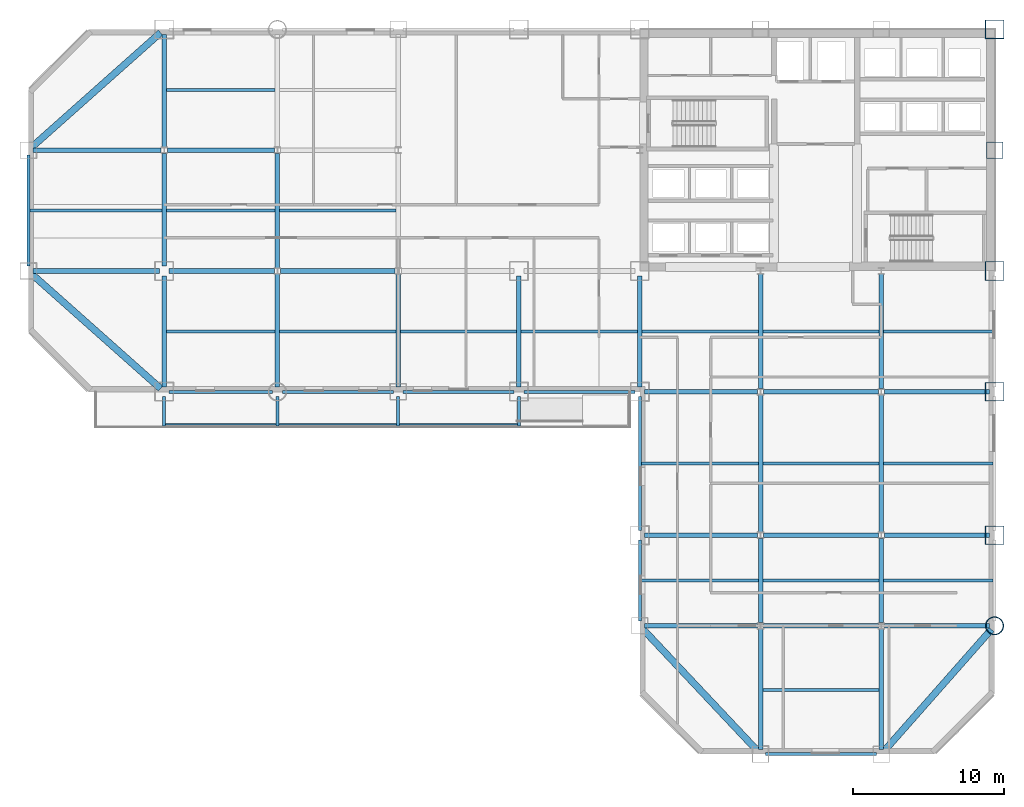
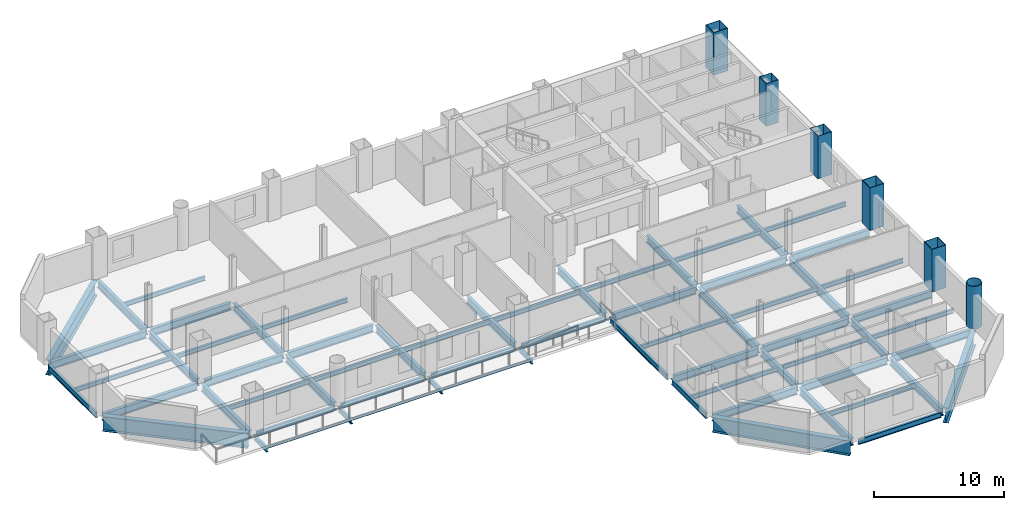
# One storey, part 3 of 9: 67 beams, 6 columns.
"""IFC4 building model written with IfcOpenShell, lengths in metres."""

from ifc_helpers import new_model, si_unit, direction, frame, origin, origin_2d, place, context, subcontext, project, spatial, hollow_rectangle, hollow_circle, i_section, extrude, material, material_profile, profile_set, type_object, element, save


model = new_model("IFC4")

# Units and contexts
model_context = context("Model", 3, precision=1e-05, world=origin(), true_north=direction((0.0, 1.0)))
body_context = subcontext(model_context, "Body", "Model", "MODEL_VIEW")
ifc_project = project(units=[si_unit("LENGTHUNIT", "METRE"), si_unit("AREAUNIT", "SQUARE_METRE"), si_unit("VOLUMEUNIT", "CUBIC_METRE"), si_unit("PLANEANGLEUNIT", "RADIAN"), si_unit("MASSUNIT", "GRAM", prefix="KILO")], contexts=[model_context])

# Site, building, storey
site_placement = place(None, origin())
site = spatial("IfcSite", under=ifc_project, at=site_placement, CompositionType="ELEMENT")
building_placement = place(site_placement, origin())
building = spatial("IfcBuilding", under=site, at=building_placement, Name="Qianrong Seaharbour Tower", CompositionType="ELEMENT")
storey_placement = place(building_placement, frame((0.0, 0.0, 100.199951171875)))
storey = spatial("IfcBuildingStorey", under=building, at=storey_placement, Name="L24", CompositionType="ELEMENT", Elevation=100.199951171875)

# Columns
ifc_material_1 = material(Name="Structural steel SN490B", Category="steel")
ifc_material_profile_1 = material_profile(ifc_material_1, hollow_rectangle(XDim=1.25, YDim=1.25, WallThickness=0.044921875, at=origin_2d()), Name="BOX1250x1250x45")
ifc_profile_set_1 = profile_set([ifc_material_profile_1], Name="Structural steel SN490B")
column_type_1 = type_object("IfcColumnType", Name="COL-CFT-1250", PredefinedType="COLUMN", material=ifc_profile_set_1)
for number, where, z_axis, x_axis, name in (
    (1, (64.0, 18.5, 0.0), (0.0, 0.0, 1.0), (1.0, 0.0, 0.0), "L24 Column MC-2 at G9/GD"),
    (2, (64.0, 28.0, 0.0), (0.0, 0.0, 1.0), (1.0, 0.0, 0.0), "L24 Column MC-2 at G9/GE"),
    (3, (64.0, 36.0, 0.0), (0.0, 0.0, 1.0), (1.0, 0.0, 0.0), "L24 Column MC-2 at G9/GF"),
    (4, (64.0, 52.0, 0.0), (0.0, 0.0, 1.0), (1.0, 0.0, 0.0), "L24 Column MC-2 at G9/GH"),
):
    element("IfcColumn", number, at=place(storey_placement, frame(where, z_axis=z_axis, x_axis=x_axis)), inside=storey, type_object=column_type_1, Name=name, PredefinedType="COLUMN", context=body_context, shape_type="SweptSolid", body=[
        extrude(hollow_rectangle(XDim=1.25, YDim=1.25, WallThickness=0.044921875, at=origin_2d()), origin(), (0.0, 0.0, 1.0), 4.0),
    ])
ifc_material_profile_2 = material_profile(ifc_material_1, hollow_circle(Radius=0.60009765625, WallThickness=0.0400390625, at=origin_2d()), Name="CHS1200x40")
ifc_profile_set_2 = profile_set([ifc_material_profile_2], Name="Structural steel SN490B")
column_type_2 = type_object("IfcColumnType", Name="COL-CHS-1200", PredefinedType="COLUMN", material=ifc_profile_set_2)
column_1_placement = place(storey_placement, frame((64.0, 12.5, 0.0), z_axis=(0.0, 0.0, 1.0), x_axis=(1.0, 0.0, 0.0)))
element("IfcColumn", 5, at=column_1_placement, inside=storey, type_object=column_type_2, Name="L24 Column CC-1 at G9/GC", PredefinedType="COLUMN", context=body_context, shape_type="SweptSolid", body=[
    extrude(hollow_circle(Radius=0.60009765625, WallThickness=0.0400390625, at=origin_2d()), origin(), (0.0, 0.0, 1.0), 4.0),
])
ifc_material_profile_3 = material_profile(ifc_material_1, hollow_rectangle(XDim=1.10009765625, YDim=1.10009765625, WallThickness=0.0400390625, at=origin_2d()), Name="BOX1100x1100x40")
ifc_profile_set_3 = profile_set([ifc_material_profile_3], Name="Structural steel SN490B")
column_type_3 = type_object("IfcColumnType", Name="COL-PER-1100", PredefinedType="COLUMN", material=ifc_profile_set_3)
column_2_placement = place(storey_placement, frame((64.0, 44.0, 0.0), z_axis=(0.0, 0.0, 1.0), x_axis=(1.0, 0.0, 0.0)))
element("IfcColumn", 6, at=column_2_placement, inside=storey, type_object=column_type_3, Name="L24 Column PC-1 at G9/GG", PredefinedType="COLUMN", context=body_context, shape_type="SweptSolid", body=[
    extrude(hollow_rectangle(XDim=1.10009765625, YDim=1.10009765625, WallThickness=0.0400390625, at=origin_2d()), origin(), (0.0, 0.0, 1.0), 4.0),
])

# Beams
ifc_material_profile_4 = material_profile(ifc_material_1, i_section(OverallWidth=0.300048828125, OverallDepth=0.699951171875, WebThickness=0.012939453125, FlangeThickness=0.02392578125, FilletRadius=0.02587890625, at=origin_2d()), Name="H700x300x13x24")
ifc_profile_set_4 = profile_set([ifc_material_profile_4], Name="Structural steel SN490B")
beam_type_1 = type_object("IfcBeamType", Name="BM-G-700", PredefinedType="BEAM", material=ifc_profile_set_4)
beam_1_placement = place(storey_placement, frame((40.820068359375, 12.5, -0.599853515625), z_axis=(1.0, 0.0, 0.0), x_axis=(0.0, 1.0, 0.0)))
element("IfcBeam", 7, at=beam_1_placement, inside=storey, type_object=beam_type_1, Name="L24 Primary Girder GC G6-G7", PredefinedType="BEAM", context=body_context, shape_type="SweptSolid", body=[
    extrude(i_section(OverallWidth=0.300048828125, OverallDepth=0.699951171875, WebThickness=0.012939453125, FlangeThickness=0.02392578125, FilletRadius=0.02587890625, at=origin_2d()), origin(), (0.0, 0.0, 1.0), 7.476318359375),
])
beam_2_placement = place(storey_placement, frame((48.70361328125, 12.5, -0.599853515625), z_axis=(1.0, 0.0, 0.0), x_axis=(0.0, 1.0, 0.0)))
element("IfcBeam", 8, at=beam_2_placement, inside=storey, type_object=beam_type_1, Name="L24 Primary Girder GC G7-G8", PredefinedType="BEAM", context=body_context, shape_type="SweptSolid", body=[
    extrude(i_section(OverallWidth=0.300048828125, OverallDepth=0.699951171875, WebThickness=0.012939453125, FlangeThickness=0.02392578125, FilletRadius=0.02587890625, at=origin_2d()), origin(), (0.0, 0.0, 1.0), 7.5927734375),
])
beam_3_placement = place(storey_placement, frame((56.70361328125, 12.5, -0.599853515625), z_axis=(1.0, 0.0, 0.0), x_axis=(0.0, 1.0, 0.0)))
element("IfcBeam", 9, at=beam_3_placement, inside=storey, type_object=beam_type_1, Name="L24 Primary Girder GC G8-G9", PredefinedType="BEAM", context=body_context, shape_type="SweptSolid", body=[
    extrude(i_section(OverallWidth=0.300048828125, OverallDepth=0.699951171875, WebThickness=0.012939453125, FlangeThickness=0.02392578125, FilletRadius=0.02587890625, at=origin_2d()), origin(), (0.0, 0.0, 1.0), 6.976318359375),
])
beam_4_placement = place(storey_placement, frame((40.820068359375, 18.5, -0.599853515625), z_axis=(1.0, 0.0, 0.0), x_axis=(0.0, 1.0, 0.0)))
element("IfcBeam", 10, at=beam_4_placement, inside=storey, type_object=beam_type_1, Name="L24 Primary Girder GD G6-G7", PredefinedType="BEAM", context=body_context, shape_type="SweptSolid", body=[
    extrude(i_section(OverallWidth=0.300048828125, OverallDepth=0.699951171875, WebThickness=0.012939453125, FlangeThickness=0.02392578125, FilletRadius=0.02587890625, at=origin_2d()), origin(), (0.0, 0.0, 1.0), 7.476318359375),
])
beam_5_placement = place(storey_placement, frame((48.70361328125, 18.5, -0.599853515625), z_axis=(1.0, 0.0, 0.0), x_axis=(0.0, 1.0, 0.0)))
element("IfcBeam", 11, at=beam_5_placement, inside=storey, type_object=beam_type_1, Name="L24 Primary Girder GD G7-G8", PredefinedType="BEAM", context=body_context, shape_type="SweptSolid", body=[
    extrude(i_section(OverallWidth=0.300048828125, OverallDepth=0.699951171875, WebThickness=0.012939453125, FlangeThickness=0.02392578125, FilletRadius=0.02587890625, at=origin_2d()), origin(), (0.0, 0.0, 1.0), 7.5927734375),
])
beam_6_placement = place(storey_placement, frame((56.70361328125, 18.5, -0.599853515625), z_axis=(1.0, 0.0, 0.0), x_axis=(0.0, 1.0, 0.0)))
element("IfcBeam", 12, at=beam_6_placement, inside=storey, type_object=beam_type_1, Name="L24 Primary Girder GD G8-G9", PredefinedType="BEAM", context=body_context, shape_type="SweptSolid", body=[
    extrude(i_section(OverallWidth=0.300048828125, OverallDepth=0.699951171875, WebThickness=0.012939453125, FlangeThickness=0.02392578125, FilletRadius=0.02587890625, at=origin_2d()), origin(), (0.0, 0.0, 1.0), 6.976318359375),
])
beam_7_placement = place(storey_placement, frame((40.820068359375, 28.0, -0.599853515625), z_axis=(1.0, 0.0, 0.0), x_axis=(0.0, 1.0, 0.0)))
element("IfcBeam", 13, at=beam_7_placement, inside=storey, type_object=beam_type_1, Name="L24 Primary Girder GE G6-G7", PredefinedType="BEAM", context=body_context, shape_type="SweptSolid", body=[
    extrude(i_section(OverallWidth=0.300048828125, OverallDepth=0.699951171875, WebThickness=0.012939453125, FlangeThickness=0.02392578125, FilletRadius=0.02587890625, at=origin_2d()), origin(), (0.0, 0.0, 1.0), 7.476318359375),
])
beam_8_placement = place(storey_placement, frame((48.70361328125, 28.0, -0.599853515625), z_axis=(1.0, 0.0, 0.0), x_axis=(0.0, 1.0, 0.0)))
element("IfcBeam", 14, at=beam_8_placement, inside=storey, type_object=beam_type_1, Name="L24 Primary Girder GE G7-G8", PredefinedType="BEAM", context=body_context, shape_type="SweptSolid", body=[
    extrude(i_section(OverallWidth=0.300048828125, OverallDepth=0.699951171875, WebThickness=0.012939453125, FlangeThickness=0.02392578125, FilletRadius=0.02587890625, at=origin_2d()), origin(), (0.0, 0.0, 1.0), 7.5927734375),
])
beam_9_placement = place(storey_placement, frame((56.70361328125, 28.0, -0.599853515625), z_axis=(1.0, 0.0, 0.0), x_axis=(0.0, 1.0, 0.0)))
element("IfcBeam", 15, at=beam_9_placement, inside=storey, type_object=beam_type_1, Name="L24 Primary Girder GE G8-G9", PredefinedType="BEAM", context=body_context, shape_type="SweptSolid", body=[
    extrude(i_section(OverallWidth=0.300048828125, OverallDepth=0.699951171875, WebThickness=0.012939453125, FlangeThickness=0.02392578125, FilletRadius=0.02587890625, at=origin_2d()), origin(), (0.0, 0.0, 1.0), 6.976318359375),
])
beam_10_placement = place(storey_placement, frame((0.320068359375, 36.0, -0.599853515625), z_axis=(1.0, 0.0, 0.0), x_axis=(0.0, 1.0, 0.0)))
element("IfcBeam", 16, at=beam_10_placement, inside=storey, type_object=beam_type_1, Name="L24 Primary Girder GF G1-G2", PredefinedType="BEAM", context=body_context, shape_type="SweptSolid", body=[
    extrude(i_section(OverallWidth=0.300048828125, OverallDepth=0.699951171875, WebThickness=0.012939453125, FlangeThickness=0.02392578125, FilletRadius=0.02587890625, at=origin_2d()), origin(), (0.0, 0.0, 1.0), 8.35986328125),
])
beam_11_placement = place(storey_placement, frame((9.320068359375, 36.0, -0.599853515625), z_axis=(1.0, 0.0, 0.0), x_axis=(0.0, 1.0, 0.0)))
element("IfcBeam", 17, at=beam_11_placement, inside=storey, type_object=beam_type_1, Name="L24 Primary Girder GF G2-G3", PredefinedType="BEAM", context=body_context, shape_type="SweptSolid", body=[
    extrude(i_section(OverallWidth=0.300048828125, OverallDepth=0.699951171875, WebThickness=0.012939453125, FlangeThickness=0.02392578125, FilletRadius=0.02587890625, at=origin_2d()), origin(), (0.0, 0.0, 1.0), 6.976318359375),
])
beam_12_placement = place(storey_placement, frame((16.70361328125, 36.0, -0.599853515625), z_axis=(1.0, 0.0, 0.0), x_axis=(0.0, 1.0, 0.0)))
element("IfcBeam", 18, at=beam_12_placement, inside=storey, type_object=beam_type_1, Name="L24 Primary Girder GF G3-G4", PredefinedType="BEAM", context=body_context, shape_type="SweptSolid", body=[
    extrude(i_section(OverallWidth=0.300048828125, OverallDepth=0.699951171875, WebThickness=0.012939453125, FlangeThickness=0.02392578125, FilletRadius=0.02587890625, at=origin_2d()), origin(), (0.0, 0.0, 1.0), 7.5927734375),
])
beam_13_placement = place(storey_placement, frame((0.320068359375, 44.0, -0.599853515625), z_axis=(1.0, 0.0, 0.0), x_axis=(0.0, 1.0, 0.0)))
element("IfcBeam", 19, at=beam_13_placement, inside=storey, type_object=beam_type_1, Name="L24 Primary Girder GG G1-G2", PredefinedType="BEAM", context=body_context, shape_type="SweptSolid", body=[
    extrude(i_section(OverallWidth=0.300048828125, OverallDepth=0.699951171875, WebThickness=0.012939453125, FlangeThickness=0.02392578125, FilletRadius=0.02587890625, at=origin_2d()), origin(), (0.0, 0.0, 1.0), 8.476318359375),
])
beam_14_placement = place(storey_placement, frame((9.20361328125, 44.0, -0.599853515625), z_axis=(1.0, 0.0, 0.0), x_axis=(0.0, 1.0, 0.0)))
element("IfcBeam", 20, at=beam_14_placement, inside=storey, type_object=beam_type_1, Name="L24 Primary Girder GG G2-G3", PredefinedType="BEAM", context=body_context, shape_type="SweptSolid", body=[
    extrude(i_section(OverallWidth=0.300048828125, OverallDepth=0.699951171875, WebThickness=0.012939453125, FlangeThickness=0.02392578125, FilletRadius=0.02587890625, at=origin_2d()), origin(), (0.0, 0.0, 1.0), 7.0927734375),
])
beam_15_placement = place(storey_placement, frame((9.0, 28.320068359375, -0.599853515625), z_axis=(0.0, 1.0, 0.0), x_axis=(-1.0, 0.0, 0.0)))
element("IfcBeam", 21, at=beam_15_placement, inside=storey, type_object=beam_type_1, Name="L24 Primary Girder G2 GE-GF", PredefinedType="BEAM", context=body_context, shape_type="SweptSolid", body=[
    extrude(i_section(OverallWidth=0.300048828125, OverallDepth=0.699951171875, WebThickness=0.012939453125, FlangeThickness=0.02392578125, FilletRadius=0.02587890625, at=origin_2d()), origin(), (0.0, 0.0, 1.0), 7.35986328125),
])
for number, where, z_axis, x_axis, name in (
    (22, (9.0, 36.320068359375, -0.599853515625), (0.0, 1.0, 0.0), (-1.0, 0.0, 0.0), "L24 Primary Girder G2 GF-GG"),
    (23, (9.0, 44.214111328125, -0.599853515625), (0.0, 1.0, 0.0), (-1.0, 0.0, 0.0), "L24 Primary Girder G2 GG-GH"),
    (24, (16.5, 28.320068359375, -0.599853515625), (0.0, 1.0, 0.0), (-1.0, 0.0, 0.0), "L24 Primary Girder G3 GE-GF"),
):
    element("IfcBeam", number, at=place(storey_placement, frame(where, z_axis=z_axis, x_axis=x_axis)), inside=storey, type_object=beam_type_1, Name=name, PredefinedType="BEAM", context=body_context, shape_type="SweptSolid", body=[
        extrude(i_section(OverallWidth=0.300048828125, OverallDepth=0.699951171875, WebThickness=0.012939453125, FlangeThickness=0.02392578125, FilletRadius=0.02587890625, at=origin_2d()), origin(), (0.0, 0.0, 1.0), 7.4658203125),
    ])
beam_16_placement = place(storey_placement, frame((16.5, 36.214111328125, -0.599853515625), z_axis=(0.0, 1.0, 0.0), x_axis=(-1.0, 0.0, 0.0)))
element("IfcBeam", 25, at=beam_16_placement, inside=storey, type_object=beam_type_1, Name="L24 Primary Girder G3 GF-GG", PredefinedType="BEAM", context=body_context, shape_type="SweptSolid", body=[
    extrude(i_section(OverallWidth=0.300048828125, OverallDepth=0.699951171875, WebThickness=0.012939453125, FlangeThickness=0.02392578125, FilletRadius=0.02587890625, at=origin_2d()), origin(), (0.0, 0.0, 1.0), 7.57177734375),
])
beam_17_placement = place(storey_placement, frame((24.5, 28.320068359375, -0.599853515625), z_axis=(0.0, 1.0, 0.0), x_axis=(-1.0, 0.0, 0.0)))
element("IfcBeam", 26, at=beam_17_placement, inside=storey, type_object=beam_type_1, Name="L24 Primary Girder G4 GE-GF", PredefinedType="BEAM", context=body_context, shape_type="SweptSolid", body=[
    extrude(i_section(OverallWidth=0.300048828125, OverallDepth=0.699951171875, WebThickness=0.012939453125, FlangeThickness=0.02392578125, FilletRadius=0.02587890625, at=origin_2d()), origin(), (0.0, 0.0, 1.0), 7.4658203125),
])
for number, where, z_axis, x_axis, name in (
    (27, (32.5, 28.320068359375, -0.599853515625), (0.0, 1.0, 0.0), (-1.0, 0.0, 0.0), "L24 Primary Girder G5 GE-GF"),
    (28, (40.5, 28.320068359375, -0.599853515625), (0.0, 1.0, 0.0), (-1.0, 0.0, 0.0), "L24 Primary Girder G6 GE-GF"),
):
    element("IfcBeam", number, at=place(storey_placement, frame(where, z_axis=z_axis, x_axis=x_axis)), inside=storey, type_object=beam_type_1, Name=name, PredefinedType="BEAM", context=body_context, shape_type="SweptSolid", body=[
        extrude(i_section(OverallWidth=0.300048828125, OverallDepth=0.699951171875, WebThickness=0.012939453125, FlangeThickness=0.02392578125, FilletRadius=0.02587890625, at=origin_2d()), origin(), (0.0, 0.0, 1.0), 7.35986328125),
    ])
beam_18_placement = place(storey_placement, frame((48.5, 4.320068359375, -0.599853515625), z_axis=(0.0, 1.0, 0.0), x_axis=(-1.0, 0.0, 0.0)))
element("IfcBeam", 29, at=beam_18_placement, inside=storey, type_object=beam_type_1, Name="L24 Primary Girder G7 GB-GC", PredefinedType="BEAM", context=body_context, shape_type="SweptSolid", body=[
    extrude(i_section(OverallWidth=0.300048828125, OverallDepth=0.699951171875, WebThickness=0.012939453125, FlangeThickness=0.02392578125, FilletRadius=0.02587890625, at=origin_2d()), origin(), (0.0, 0.0, 1.0), 7.9658203125),
])
beam_19_placement = place(storey_placement, frame((48.5, 12.714111328125, -0.599853515625), z_axis=(0.0, 1.0, 0.0), x_axis=(-1.0, 0.0, 0.0)))
element("IfcBeam", 30, at=beam_19_placement, inside=storey, type_object=beam_type_1, Name="L24 Primary Girder G7 GC-GD", PredefinedType="BEAM", context=body_context, shape_type="SweptSolid", body=[
    extrude(i_section(OverallWidth=0.300048828125, OverallDepth=0.699951171875, WebThickness=0.012939453125, FlangeThickness=0.02392578125, FilletRadius=0.02587890625, at=origin_2d()), origin(), (0.0, 0.0, 1.0), 5.57177734375),
])
beam_20_placement = place(storey_placement, frame((48.5, 28.214111328125, -0.599853515625), z_axis=(0.0, 1.0, 0.0), x_axis=(-1.0, 0.0, 0.0)))
element("IfcBeam", 31, at=beam_20_placement, inside=storey, type_object=beam_type_1, Name="L24 Primary Girder G7 GE-GF", PredefinedType="BEAM", context=body_context, shape_type="SweptSolid", body=[
    extrude(i_section(OverallWidth=0.300048828125, OverallDepth=0.699951171875, WebThickness=0.012939453125, FlangeThickness=0.02392578125, FilletRadius=0.02587890625, at=origin_2d()), origin(), (0.0, 0.0, 1.0), 7.57177734375),
])
beam_21_placement = place(storey_placement, frame((56.5, 4.320068359375, -0.599853515625), z_axis=(0.0, 1.0, 0.0), x_axis=(-1.0, 0.0, 0.0)))
element("IfcBeam", 32, at=beam_21_placement, inside=storey, type_object=beam_type_1, Name="L24 Primary Girder G8 GB-GC", PredefinedType="BEAM", context=body_context, shape_type="SweptSolid", body=[
    extrude(i_section(OverallWidth=0.300048828125, OverallDepth=0.699951171875, WebThickness=0.012939453125, FlangeThickness=0.02392578125, FilletRadius=0.02587890625, at=origin_2d()), origin(), (0.0, 0.0, 1.0), 7.9658203125),
])
beam_22_placement = place(storey_placement, frame((56.5, 12.714111328125, -0.599853515625), z_axis=(0.0, 1.0, 0.0), x_axis=(-1.0, 0.0, 0.0)))
element("IfcBeam", 33, at=beam_22_placement, inside=storey, type_object=beam_type_1, Name="L24 Primary Girder G8 GC-GD", PredefinedType="BEAM", context=body_context, shape_type="SweptSolid", body=[
    extrude(i_section(OverallWidth=0.300048828125, OverallDepth=0.699951171875, WebThickness=0.012939453125, FlangeThickness=0.02392578125, FilletRadius=0.02587890625, at=origin_2d()), origin(), (0.0, 0.0, 1.0), 5.57177734375),
])
beam_23_placement = place(storey_placement, frame((56.5, 28.214111328125, -0.599853515625), z_axis=(0.0, 1.0, 0.0), x_axis=(-1.0, 0.0, 0.0)))
element("IfcBeam", 34, at=beam_23_placement, inside=storey, type_object=beam_type_1, Name="L24 Primary Girder G8 GE-GF", PredefinedType="BEAM", context=body_context, shape_type="SweptSolid", body=[
    extrude(i_section(OverallWidth=0.300048828125, OverallDepth=0.699951171875, WebThickness=0.012939453125, FlangeThickness=0.02392578125, FilletRadius=0.02587890625, at=origin_2d()), origin(), (0.0, 0.0, 1.0), 7.57177734375),
])
ifc_material_profile_5 = material_profile(ifc_material_1, i_section(OverallWidth=0.300048828125, OverallDepth=0.800048828125, WebThickness=0.013916015625, FlangeThickness=0.02587890625, FilletRadius=0.028076171875, at=origin_2d()), Name="H800x300x14x26")
ifc_profile_set_5 = profile_set([ifc_material_profile_5], Name="Structural steel SN490B")
beam_type_2 = type_object("IfcBeamType", Name="BM-G-800", PredefinedType="BEAM", material=ifc_profile_set_5)
for number, where, z_axis, x_axis, name in (
    (35, (48.5, 18.714111328125, -0.64990234375), (0.0, 1.0, 0.0), (-1.0, 0.0, 0.0), "L24 Primary Girder G7 GD-GE"),
    (36, (56.5, 18.714111328125, -0.64990234375), (0.0, 1.0, 0.0), (-1.0, 0.0, 0.0), "L24 Primary Girder G8 GD-GE"),
):
    element("IfcBeam", number, at=place(storey_placement, frame(where, z_axis=z_axis, x_axis=x_axis)), inside=storey, type_object=beam_type_2, Name=name, PredefinedType="BEAM", context=body_context, shape_type="SweptSolid", body=[
        extrude(i_section(OverallWidth=0.300048828125, OverallDepth=0.800048828125, WebThickness=0.013916015625, FlangeThickness=0.02587890625, FilletRadius=0.028076171875, at=origin_2d()), origin(), (0.0, 0.0, 1.0), 9.07177734375),
    ])
ifc_material_2 = material(Name="Structural steel SN400B", Category="steel")
ifc_material_profile_6 = material_profile(ifc_material_2, i_section(OverallWidth=0.199951171875, OverallDepth=0.39990234375, WebThickness=0.008056640625, FlangeThickness=0.012939453125, FilletRadius=0.01611328125, at=origin_2d()), Name="H400x200x8x13")
ifc_profile_set_6 = profile_set([ifc_material_profile_6], Name="Structural steel SN400B")
beam_type_3 = type_object("IfcBeamType", Name="BM-J-400", PredefinedType="JOIST", material=ifc_profile_set_6)
beam_24_placement = place(storey_placement, frame((0.10009765625, 40.0, -0.449951171875), z_axis=(1.0, 0.0, 0.0), x_axis=(0.0, 1.0, 0.0)))
element("IfcBeam", 37, at=beam_24_placement, inside=storey, type_object=beam_type_3, Name="L24 Composite Floor Joist G1-G2/GF-GG", PredefinedType="JOIST", context=body_context, shape_type="SweptSolid", body=[
    extrude(i_section(OverallWidth=0.199951171875, OverallDepth=0.39990234375, WebThickness=0.008056640625, FlangeThickness=0.012939453125, FilletRadius=0.01611328125, at=origin_2d()), origin(), (0.0, 0.0, 1.0), 8.75),
])
for number, where, z_axis, x_axis, name in (
    (38, (9.14990234375, 32.0, -0.449951171875), (1.0, 0.0, 0.0), (0.0, 1.0, 0.0), "L24 Composite Floor Joist G2-G3/GE-GF"),
    (39, (9.14990234375, 40.0, -0.449951171875), (1.0, 0.0, 0.0), (0.0, 1.0, 0.0), "L24 Composite Floor Joist G2-G3/GF-GG"),
    (40, (9.14990234375, 48.0, -0.449951171875), (1.0, 0.0, 0.0), (0.0, 1.0, 0.0), "L24 Composite Floor Joist G2-G3/GG-GH"),
):
    element("IfcBeam", number, at=place(storey_placement, frame(where, z_axis=z_axis, x_axis=x_axis)), inside=storey, type_object=beam_type_3, Name=name, PredefinedType="JOIST", context=body_context, shape_type="SweptSolid", body=[
        extrude(i_section(OverallWidth=0.199951171875, OverallDepth=0.39990234375, WebThickness=0.008056640625, FlangeThickness=0.012939453125, FilletRadius=0.01611328125, at=origin_2d()), origin(), (0.0, 0.0, 1.0), 7.2001953125),
    ])
for number, where, z_axis, x_axis, name in (
    (41, (16.64990234375, 32.0, -0.449951171875), (1.0, 0.0, 0.0), (0.0, 1.0, 0.0), "L24 Composite Floor Joist G3-G4/GE-GF"),
    (42, (16.64990234375, 40.0, -0.449951171875), (1.0, 0.0, 0.0), (0.0, 1.0, 0.0), "L24 Composite Floor Joist G3-G4/GF-GG"),
    (43, (24.64990234375, 32.0, -0.449951171875), (1.0, 0.0, 0.0), (0.0, 1.0, 0.0), "L24 Composite Floor Joist G4-G5/GE-GF"),
    (44, (32.64990234375, 32.0, -0.449951171875), (1.0, 0.0, 0.0), (0.0, 1.0, 0.0), "L24 Composite Floor Joist G5-G6/GE-GF"),
):
    element("IfcBeam", number, at=place(storey_placement, frame(where, z_axis=z_axis, x_axis=x_axis)), inside=storey, type_object=beam_type_3, Name=name, PredefinedType="JOIST", context=body_context, shape_type="SweptSolid", body=[
        extrude(i_section(OverallWidth=0.199951171875, OverallDepth=0.39990234375, WebThickness=0.008056640625, FlangeThickness=0.012939453125, FilletRadius=0.01611328125, at=origin_2d()), origin(), (0.0, 0.0, 1.0), 7.7001953125),
    ])
for number, where, z_axis, x_axis, name in (
    (45, (40.60009765625, 15.5, -0.449951171875), (1.0, 0.0, 0.0), (0.0, 1.0, 0.0), "L24 Composite Floor Joist G6-G7/GC-GD"),
    (46, (40.60009765625, 23.25, -0.449951171875), (1.0, 0.0, 0.0), (0.0, 1.0, 0.0), "L24 Composite Floor Joist G6-G7/GD-GE"),
):
    element("IfcBeam", number, at=place(storey_placement, frame(where, z_axis=z_axis, x_axis=x_axis)), inside=storey, type_object=beam_type_3, Name=name, PredefinedType="JOIST", context=body_context, shape_type="SweptSolid", body=[
        extrude(i_section(OverallWidth=0.199951171875, OverallDepth=0.39990234375, WebThickness=0.008056640625, FlangeThickness=0.012939453125, FilletRadius=0.01611328125, at=origin_2d()), origin(), (0.0, 0.0, 1.0), 7.75),
    ])
for number, where, z_axis, x_axis, name in (
    (47, (40.64990234375, 32.0, -0.449951171875), (1.0, 0.0, 0.0), (0.0, 1.0, 0.0), "L24 Composite Floor Joist G6-G7/GE-GF"),
    (48, (48.64990234375, 8.25, -0.449951171875), (1.0, 0.0, 0.0), (0.0, 1.0, 0.0), "L24 Composite Floor Joist G7-G8/GB-GC"),
    (49, (48.64990234375, 15.5, -0.449951171875), (1.0, 0.0, 0.0), (0.0, 1.0, 0.0), "L24 Composite Floor Joist G7-G8/GC-GD"),
    (50, (48.64990234375, 23.25, -0.449951171875), (1.0, 0.0, 0.0), (0.0, 1.0, 0.0), "L24 Composite Floor Joist G7-G8/GD-GE"),
    (51, (48.64990234375, 32.0, -0.449951171875), (1.0, 0.0, 0.0), (0.0, 1.0, 0.0), "L24 Composite Floor Joist G7-G8/GE-GF"),
):
    element("IfcBeam", number, at=place(storey_placement, frame(where, z_axis=z_axis, x_axis=x_axis)), inside=storey, type_object=beam_type_3, Name=name, PredefinedType="JOIST", context=body_context, shape_type="SweptSolid", body=[
        extrude(i_section(OverallWidth=0.199951171875, OverallDepth=0.39990234375, WebThickness=0.008056640625, FlangeThickness=0.012939453125, FilletRadius=0.01611328125, at=origin_2d()), origin(), (0.0, 0.0, 1.0), 7.7001953125),
    ])
for number, where, z_axis, x_axis, name in (
    (52, (56.64990234375, 15.5, -0.449951171875), (1.0, 0.0, 0.0), (0.0, 1.0, 0.0), "L24 Composite Floor Joist G8-G9/GC-GD"),
    (53, (56.64990234375, 23.25, -0.449951171875), (1.0, 0.0, 0.0), (0.0, 1.0, 0.0), "L24 Composite Floor Joist G8-G9/GD-GE"),
    (54, (56.64990234375, 32.0, -0.449951171875), (1.0, 0.0, 0.0), (0.0, 1.0, 0.0), "L24 Composite Floor Joist G8-G9/GE-GF"),
):
    element("IfcBeam", number, at=place(storey_placement, frame(where, z_axis=z_axis, x_axis=x_axis)), inside=storey, type_object=beam_type_3, Name=name, PredefinedType="JOIST", context=body_context, shape_type="SweptSolid", body=[
        extrude(i_section(OverallWidth=0.199951171875, OverallDepth=0.39990234375, WebThickness=0.008056640625, FlangeThickness=0.012939453125, FilletRadius=0.01611328125, at=origin_2d()), origin(), (0.0, 0.0, 1.0), 7.25),
    ])
ifc_material_profile_7 = material_profile(ifc_material_2, i_section(OverallWidth=0.10009765625, OverallDepth=0.199951171875, WebThickness=0.005615234375, FlangeThickness=0.008056640625, FilletRadius=0.010986328125, at=origin_2d()), Name="H200x100x5.5x8")
ifc_profile_set_7 = profile_set([ifc_material_profile_7], Name="Structural steel SN400B")
beam_type_4 = type_object("IfcBeamType", Name="BM-PURLIN-200", PredefinedType="JOIST", material=ifc_profile_set_7)
beam_25_placement = place(storey_placement, frame((9.10009765625, 25.840087890625, -0.349853515625), z_axis=(1.0, 0.0, 0.0), x_axis=(0.0, 1.0, 0.0)))
element("IfcBeam", 55, at=beam_25_placement, inside=storey, type_object=beam_type_4, Name="L24 Harbourfront Ribbon Edge Beam G3", PredefinedType="JOIST", context=body_context, shape_type="SweptSolid", body=[
    extrude(i_section(OverallWidth=0.10009765625, OverallDepth=0.199951171875, WebThickness=0.005615234375, FlangeThickness=0.008056640625, FilletRadius=0.010986328125, at=origin_2d()), origin(), (0.0, 0.0, 1.0), 7.2998046875),
])
for number, where, z_axis, x_axis, name in (
    (56, (16.60009765625, 25.840087890625, -0.349853515625), (1.0, 0.0, 0.0), (0.0, 1.0, 0.0), "L24 Harbourfront Ribbon Edge Beam G4"),
    (57, (24.60009765625, 25.840087890625, -0.349853515625), (1.0, 0.0, 0.0), (0.0, 1.0, 0.0), "L24 Harbourfront Ribbon Edge Beam G5"),
):
    element("IfcBeam", number, at=place(storey_placement, frame(where, z_axis=z_axis, x_axis=x_axis)), inside=storey, type_object=beam_type_4, Name=name, PredefinedType="JOIST", context=body_context, shape_type="SweptSolid", body=[
        extrude(i_section(OverallWidth=0.10009765625, OverallDepth=0.199951171875, WebThickness=0.005615234375, FlangeThickness=0.008056640625, FilletRadius=0.010986328125, at=origin_2d()), origin(), (0.0, 0.0, 1.0), 7.7998046875),
    ])
ifc_material_profile_8 = material_profile(ifc_material_1, i_section(OverallWidth=0.199951171875, OverallDepth=0.449951171875, WebThickness=0.009033203125, FlangeThickness=0.013916015625, FilletRadius=0.01806640625, at=origin_2d()), Name="H450x200x9x14")
ifc_profile_set_8 = profile_set([ifc_material_profile_8], Name="Structural steel SN490B")
beam_type_5 = type_object("IfcBeamType", Name="BM-RIB-450", PredefinedType="BEAM", material=ifc_profile_set_8)
for number, where, z_axis, x_axis, name in (
    (58, (9.0, 27.699951171875, -0.474853515625), (0.0, -1.0, 0.0), (1.0, 0.0, 0.0), "L24 Harbourfront Ribbon Cantilever Bracket G2"),
    (59, (16.5, 27.699951171875, -0.474853515625), (0.0, -1.0, 0.0), (1.0, 0.0, 0.0), "L24 Harbourfront Ribbon Cantilever Bracket G3"),
    (60, (24.5, 27.699951171875, -0.474853515625), (0.0, -1.0, 0.0), (1.0, 0.0, 0.0), "L24 Harbourfront Ribbon Cantilever Bracket G4"),
    (61, (32.5, 27.699951171875, -0.474853515625), (0.0, -1.0, 0.0), (1.0, 0.0, 0.0), "L24 Harbourfront Ribbon Cantilever Bracket G5"),
):
    element("IfcBeam", number, at=place(storey_placement, frame(where, z_axis=z_axis, x_axis=x_axis)), inside=storey, type_object=beam_type_5, Name=name, PredefinedType="BEAM", context=body_context, shape_type="SweptSolid", body=[
        extrude(i_section(OverallWidth=0.199951171875, OverallDepth=0.449951171875, WebThickness=0.009033203125, FlangeThickness=0.013916015625, FilletRadius=0.01806640625, at=origin_2d()), origin(), (0.0, 0.0, 1.0), 1.97998046875),
    ])
ifc_material_profile_9 = material_profile(ifc_material_1, i_section(OverallWidth=0.199951171875, OverallDepth=0.5, WebThickness=0.010009765625, FlangeThickness=0.01611328125, FilletRadius=0.02001953125, at=origin_2d()), Name="H500x200x10x16")
ifc_profile_set_9 = profile_set([ifc_material_profile_9], Name="Structural steel SN490B")
beam_type_6 = type_object("IfcBeamType", Name="BM-SP-500", PredefinedType="SPANDREL", material=ifc_profile_set_9)
beam_26_placement = place(storey_placement, frame((48.820068359375, 4.0, -0.5), z_axis=(1.0, 0.0, 0.0), x_axis=(0.0, 1.0, 0.0)))
element("IfcBeam", 62, at=beam_26_placement, inside=storey, type_object=beam_type_6, Name="L24 Spandrel Girder GB G7-G8", PredefinedType="SPANDREL", context=body_context, shape_type="SweptSolid", body=[
    extrude(i_section(OverallWidth=0.199951171875, OverallDepth=0.5, WebThickness=0.010009765625, FlangeThickness=0.01611328125, FilletRadius=0.02001953125, at=origin_2d()), origin(), (0.0, 0.0, 1.0), 7.35986328125),
])
beam_27_placement = place(storey_placement, frame((9.320068359375, 28.0, -0.5), z_axis=(1.0, 0.0, 0.0), x_axis=(0.0, 1.0, 0.0)))
element("IfcBeam", 63, at=beam_27_placement, inside=storey, type_object=beam_type_6, Name="L24 Spandrel Girder GE G2-G3", PredefinedType="SPANDREL", context=body_context, shape_type="SweptSolid", body=[
    extrude(i_section(OverallWidth=0.199951171875, OverallDepth=0.5, WebThickness=0.010009765625, FlangeThickness=0.01611328125, FilletRadius=0.02001953125, at=origin_2d()), origin(), (0.0, 0.0, 1.0), 6.85986328125),
])
for number, where, z_axis, x_axis, name in (
    (64, (16.820068359375, 28.0, -0.5), (1.0, 0.0, 0.0), (0.0, 1.0, 0.0), "L24 Spandrel Girder GE G3-G4"),
    (65, (24.820068359375, 28.0, -0.5), (1.0, 0.0, 0.0), (0.0, 1.0, 0.0), "L24 Spandrel Girder GE G4-G5"),
    (66, (32.820068359375, 28.0, -0.5), (1.0, 0.0, 0.0), (0.0, 1.0, 0.0), "L24 Spandrel Girder GE G5-G6"),
    (67, (0.0, 36.320068359375, -0.5), (0.0, 1.0, 0.0), (-1.0, 0.0, 0.0), "L24 Spandrel Girder G1 GF-GG"),
):
    element("IfcBeam", number, at=place(storey_placement, frame(where, z_axis=z_axis, x_axis=x_axis)), inside=storey, type_object=beam_type_6, Name=name, PredefinedType="SPANDREL", context=body_context, shape_type="SweptSolid", body=[
        extrude(i_section(OverallWidth=0.199951171875, OverallDepth=0.5, WebThickness=0.010009765625, FlangeThickness=0.01611328125, FilletRadius=0.02001953125, at=origin_2d()), origin(), (0.0, 0.0, 1.0), 7.35986328125),
    ])
beam_28_placement = place(storey_placement, frame((40.5, 12.820068359375, -0.5), z_axis=(0.0, 1.0, 0.0), x_axis=(-1.0, 0.0, 0.0)))
element("IfcBeam", 68, at=beam_28_placement, inside=storey, type_object=beam_type_6, Name="L24 Spandrel Girder G6 GC-GD", PredefinedType="SPANDREL", context=body_context, shape_type="SweptSolid", body=[
    extrude(i_section(OverallWidth=0.199951171875, OverallDepth=0.5, WebThickness=0.010009765625, FlangeThickness=0.01611328125, FilletRadius=0.02001953125, at=origin_2d()), origin(), (0.0, 0.0, 1.0), 5.35986328125),
])
beam_29_placement = place(storey_placement, frame((40.5, 18.820068359375, -0.5), z_axis=(0.0, 1.0, 0.0), x_axis=(-1.0, 0.0, 0.0)))
element("IfcBeam", 69, at=beam_29_placement, inside=storey, type_object=beam_type_6, Name="L24 Spandrel Girder G6 GD-GE", PredefinedType="SPANDREL", context=body_context, shape_type="SweptSolid", body=[
    extrude(i_section(OverallWidth=0.199951171875, OverallDepth=0.5, WebThickness=0.010009765625, FlangeThickness=0.01611328125, FilletRadius=0.02001953125, at=origin_2d()), origin(), (0.0, 0.0, 1.0), 8.85986328125),
])
ifc_material_profile_10 = material_profile(ifc_material_1, i_section(OverallWidth=0.449951171875, OverallDepth=1.39990234375, WebThickness=0.02197265625, FlangeThickness=0.0400390625, at=origin_2d()), Name="BH1400x450x22x40")
ifc_profile_set_10 = profile_set([ifc_material_profile_10], Name="Structural steel SN490B")
beam_type_7 = type_object("IfcBeamType", Name="BM-TG-1400", PredefinedType="BEAM", material=ifc_profile_set_10)
for number, where, z_axis, x_axis, name in (
    (70, (8.7607421875, 28.212646484375, -0.949951171875), (-0.747406955841, 0.664366497018, 0.0), (-0.664366497018, -0.747406955841, 0.0), "L24 Chamfer Corner Spandrel Girder G1/GE"),
    (71, (8.7607421875, 51.787353515625, -0.949951171875), (-0.747406955841, -0.664366497018, 0.0), (0.664366497018, -0.747406955841, 0.0), "L24 Chamfer Corner Spandrel Girder G1/GH"),
):
    element("IfcBeam", number, at=place(storey_placement, frame(where, z_axis=z_axis, x_axis=x_axis)), inside=storey, type_object=beam_type_7, Name=name, PredefinedType="BEAM", context=body_context, shape_type="SweptSolid", body=[
        extrude(i_section(OverallWidth=0.449951171875, OverallDepth=1.39990234375, WebThickness=0.02197265625, FlangeThickness=0.0400390625, at=origin_2d()), origin(), (0.0, 0.0, 1.0), 11.4013671875),
    ])
beam_30_placement = place(storey_placement, frame((48.28076171875, 4.23291015625, -0.949951171875), z_axis=(-0.685361938021, 0.728202591256, 0.0), x_axis=(-0.728202591256, -0.685361938021, 0.0)))
element("IfcBeam", 72, at=beam_30_placement, inside=storey, type_object=beam_type_7, Name="L24 Chamfer Corner Spandrel Girder G6/GB", PredefinedType="BEAM", context=body_context, shape_type="SweptSolid", body=[
    extrude(i_section(OverallWidth=0.449951171875, OverallDepth=1.39990234375, WebThickness=0.02197265625, FlangeThickness=0.0400390625, at=origin_2d()), origin(), (0.0, 0.0, 1.0), 11.032958984375),
])
beam_31_placement = place(storey_placement, frame((56.711669921875, 4.239990234375, -0.949951171875), z_axis=(0.661630696334, 0.749829861815, 0.0), x_axis=(-0.749829861815, 0.661630696334, 0.0)))
element("IfcBeam", 73, at=beam_31_placement, inside=storey, type_object=beam_type_7, Name="L24 Chamfer Corner Spandrel Girder G9/GB", PredefinedType="BEAM", context=body_context, shape_type="SweptSolid", body=[
    extrude(i_section(OverallWidth=0.449951171875, OverallDepth=1.39990234375, WebThickness=0.02197265625, FlangeThickness=0.0400390625, at=origin_2d()), origin(), (0.0, 0.0, 1.0), 10.69580078125),
])

save(model, "model.ifc")
